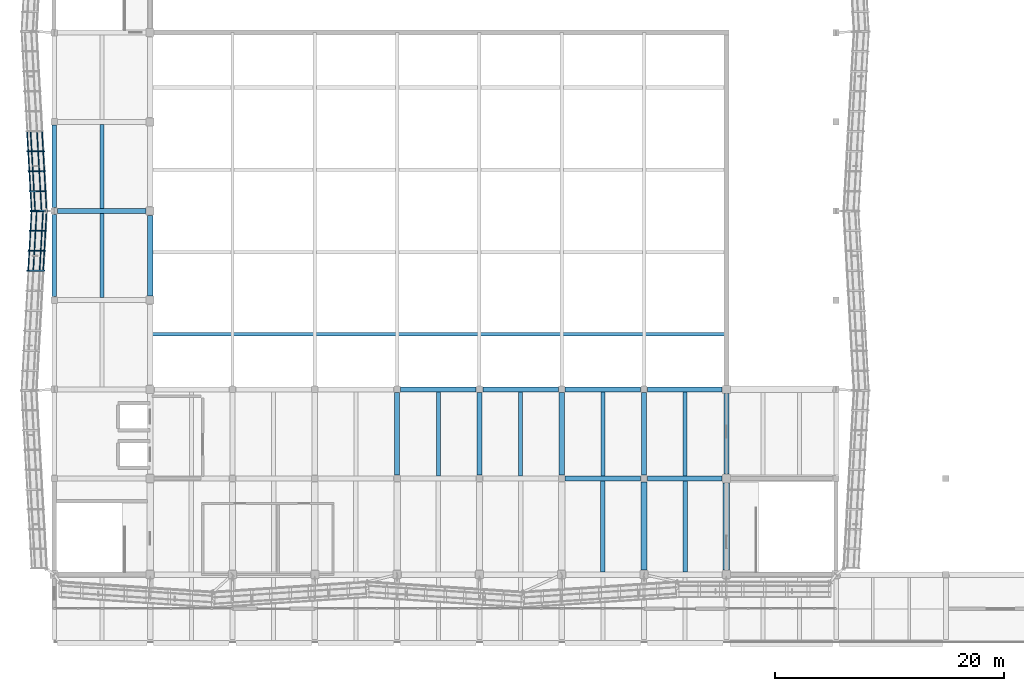
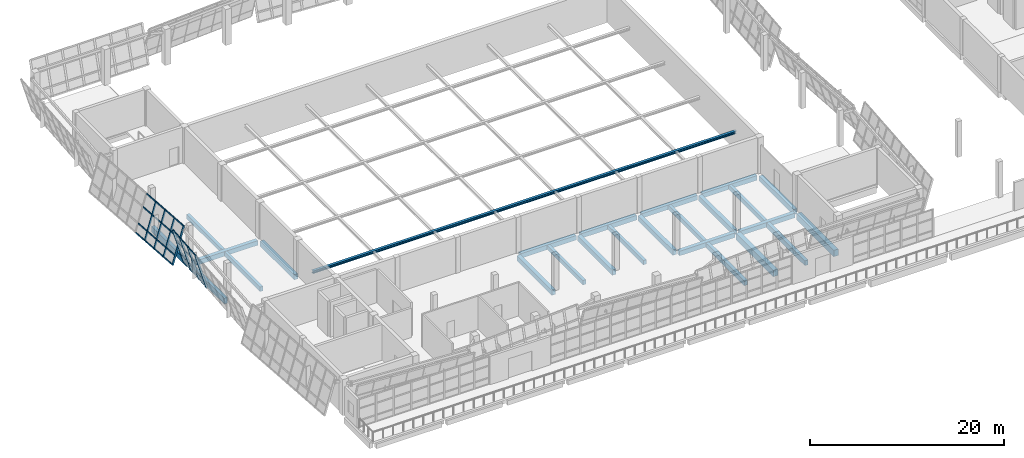
# One storey, part 14 of 67: 36 members, 26 beams, 2 elements without a shape of their own.
"""IFC4 building model written with IfcOpenShell, lengths in metres."""

from ifc_helpers import new_model, si_unit, direction, frame, origin, origin_2d, place, context, subcontext, project, spatial, rectangle, hollow_rectangle, i_section, extrude, material, material_profile, profile_set, type_object, element, aggregate, save


model = new_model("IFC4")

# Units and contexts
model_context = context("Model", 3, precision=1e-05, world=origin(), true_north=direction((0.0, 1.0)))
body_context = subcontext(model_context, "Body", "Model", "MODEL_VIEW")
ifc_project = project(units=[si_unit("LENGTHUNIT", "METRE"), si_unit("AREAUNIT", "SQUARE_METRE"), si_unit("VOLUMEUNIT", "CUBIC_METRE"), si_unit("PLANEANGLEUNIT", "RADIAN"), si_unit("MASSUNIT", "GRAM", prefix="KILO")], contexts=[model_context])

# Site, building, storey
site_placement = place(None, origin())
site = spatial("IfcSite", under=ifc_project, at=site_placement, CompositionType="ELEMENT")
building_placement = place(site_placement, origin())
building = spatial("IfcBuilding", under=site, at=building_placement, Name="Pellamere Symphony Hall", CompositionType="ELEMENT")
storey_placement = place(building_placement, frame((0.0, 0.0, 19.5)))
storey = spatial("IfcBuildingStorey", under=building, at=storey_placement, Name="L04", CompositionType="ELEMENT", Elevation=19.5)

# Curtain wall, members
ifc_material_1 = material(Name="Thermally Broken Anodised Aluminium 6063-T6 Curtain Wall", Category="aluminium")
curtain_wall_type = type_object("IfcCurtainWallType", Name="Curtain Wall CW-01 (Tilted Faceted Crystal Low-Iron Curtain Wall)", PredefinedType="NOTDEFINED", material=ifc_material_1)
curtain_wall_1_placement = place(storey_placement, origin())
curtain_wall_1 = element("IfcCurtainWall", 1, at=curtain_wall_1_placement, inside=storey, type_object=curtain_wall_type, Name="Crystal Faceted Curtain Wall CW-CR16 (L04)", PredefinedType="NOTDEFINED")
ifc_material_2 = material(Name="Anodised Architectural Aluminium 6063-T6", Category="aluminium")
ifc_material_profile_1 = material_profile(ifc_material_2, hollow_rectangle(XDim=0.074951171875, YDim=0.219970703125, WallThickness=0.0048828125, at=origin_2d()), Name="ALU-M75X220X5")
ifc_profile_set_1 = profile_set([ifc_material_profile_1], Name="Anodised Architectural Aluminium 6063-T6")
member_type_1 = type_object("IfcMemberType", Name="Curtain Wall Mullion ML-01 ALU-M75X220X5", PredefinedType="MULLION", material=ifc_profile_set_1)
member_1_placement = place(storey_placement, frame((48.116943359375, 67.033447265625, 0.0), z_axis=(0.284024567884, 0.0, 0.95881700279), x_axis=(-0.054873944304, 0.99836096977, 0.016254976991)))
member_1 = element("IfcMember", 2, at=member_1_placement, type_object=member_type_1, Name="CW1-046 crystal mullion 7", PredefinedType="MULLION", context=body_context, shape_type="SweptSolid", body=[
    extrude(hollow_rectangle(XDim=0.074951171875, YDim=0.219970703125, WallThickness=0.0048828125, at=origin_2d()), origin(), (0.0, 0.0, 1.0), 4.693359375),
])
member_2_placement = place(storey_placement, frame((48.217041015625, 65.288818359375, 0.0), z_axis=(0.284024567884, 0.0, 0.95881700279), x_axis=(-0.054873944304, 0.99836096977, 0.016254976991)))
member_2 = element("IfcMember", 3, at=member_2_placement, type_object=member_type_1, Name="CW1-046 crystal mullion 8", PredefinedType="MULLION", context=body_context, shape_type="SweptSolid", body=[
    extrude(hollow_rectangle(XDim=0.074951171875, YDim=0.219970703125, WallThickness=0.0048828125, at=origin_2d()), origin(), (0.0, 0.0, 1.0), 4.693359375),
])
member_3_placement = place(storey_placement, frame((48.31689453125, 63.54443359375, 0.0), z_axis=(0.284024567884, 0.0, 0.95881700279), x_axis=(-0.054873944304, 0.99836096977, 0.016254976991)))
member_3 = element("IfcMember", 4, at=member_3_placement, type_object=member_type_1, Name="CW1-046 crystal mullion 9", PredefinedType="MULLION", context=body_context, shape_type="SweptSolid", body=[
    extrude(hollow_rectangle(XDim=0.074951171875, YDim=0.219970703125, WallThickness=0.0048828125, at=origin_2d()), origin(), (0.0, 0.0, 1.0), 4.693359375),
])
member_4_placement = place(storey_placement, frame((48.414794921875, 61.83740234375, 0.0), z_axis=(0.284024567884, 0.0, 0.95881700279), x_axis=(-0.054873944304, 0.99836096977, 0.016254976991)))
member_4 = element("IfcMember", 5, at=member_4_placement, type_object=member_type_1, Name="CW1-046 crystal mullion 10", PredefinedType="MULLION", context=body_context, shape_type="SweptSolid", body=[
    extrude(hollow_rectangle(XDim=0.074951171875, YDim=0.219970703125, WallThickness=0.0048828125, at=origin_2d()), origin(), (0.0, 0.0, 1.0), 4.693359375),
])

curtain_wall_2_placement = place(storey_placement, origin())
curtain_wall_2 = element("IfcCurtainWall", 6, at=curtain_wall_2_placement, inside=storey, type_object=curtain_wall_type, Name="Crystal Faceted Curtain Wall CW-CR17 (L04)", PredefinedType="NOTDEFINED")
member_5_placement = place(storey_placement, frame((49.747802734375, 61.762451171875, 0.0), z_axis=(-0.284024567884, 0.0, 0.95881700279), x_axis=(-0.054873944304, -0.99836096977, -0.016254976991)))
member_5 = element("IfcMember", 7, at=member_5_placement, type_object=member_type_1, Name="CW1-051 crystal mullion 1", PredefinedType="MULLION", context=body_context, shape_type="SweptSolid", body=[
    extrude(hollow_rectangle(XDim=0.074951171875, YDim=0.219970703125, WallThickness=0.0048828125, at=origin_2d()), origin(), (0.0, 0.0, 1.0), 4.693359375),
])
member_6_placement = place(storey_placement, frame((49.64990234375, 60.0556640625, 0.0), z_axis=(-0.284024567884, 0.0, 0.95881700279), x_axis=(-0.054873944304, -0.99836096977, -0.016254976991)))
member_6 = element("IfcMember", 8, at=member_6_placement, type_object=member_type_1, Name="CW1-051 crystal mullion 2", PredefinedType="MULLION", context=body_context, shape_type="SweptSolid", body=[
    extrude(hollow_rectangle(XDim=0.074951171875, YDim=0.219970703125, WallThickness=0.0048828125, at=origin_2d()), origin(), (0.0, 0.0, 1.0), 4.693359375),
])
member_7_placement = place(storey_placement, frame((49.550048828125, 58.31103515625, 0.0), z_axis=(-0.284024567884, 0.0, 0.95881700279), x_axis=(-0.054873944304, -0.99836096977, -0.016254976991)))
member_7 = element("IfcMember", 9, at=member_7_placement, type_object=member_type_1, Name="CW1-051 crystal mullion 3", PredefinedType="MULLION", context=body_context, shape_type="SweptSolid", body=[
    extrude(hollow_rectangle(XDim=0.074951171875, YDim=0.219970703125, WallThickness=0.0048828125, at=origin_2d()), origin(), (0.0, 0.0, 1.0), 4.693359375),
])
member_8_placement = place(storey_placement, frame((49.449951171875, 56.566650390625, 0.0), z_axis=(-0.284024567884, 0.0, 0.95881700279), x_axis=(-0.054873944304, -0.99836096977, -0.016254976991)))
member_8 = element("IfcMember", 10, at=member_8_placement, type_object=member_type_1, Name="CW1-051 crystal mullion 4", PredefinedType="MULLION", context=body_context, shape_type="SweptSolid", body=[
    extrude(hollow_rectangle(XDim=0.074951171875, YDim=0.219970703125, WallThickness=0.0048828125, at=origin_2d()), origin(), (0.0, 0.0, 1.0), 4.693359375),
])

# Member
ifc_material_profile_2 = material_profile(ifc_material_2, hollow_rectangle(XDim=0.074951171875, YDim=0.179931640625, WallThickness=0.0048828125, at=origin_2d()), Name="ALU-T75X180X5")
ifc_profile_set_2 = profile_set([ifc_material_profile_2], Name="Anodised Architectural Aluminium 6063-T6")
member_type_2 = type_object("IfcMemberType", Name="Curtain Wall Transom TR-01 ALU-T75X180X5", PredefinedType="USERDEFINED", material=ifc_profile_set_2)
member_9_placement = place(storey_placement, frame((48.02978515625, 68.740234375, 0.035888671875), z_axis=(0.057232737422, -0.998360863499, 0.0), x_axis=(0.998360863499, 0.057232737422, 0.0)))
member_9 = element("IfcMember", 11, at=member_9_placement, type_object=member_type_2, Name="CW1-046 crystal transom 6.1", ObjectType="TRANSOM", PredefinedType="USERDEFINED", context=body_context, shape_type="SweptSolid", body=[
    extrude(hollow_rectangle(XDim=0.074951171875, YDim=0.179931640625, WallThickness=0.0048828125, at=origin_2d()), origin(), (0.0, 0.0, 1.0), 1.672119140625),
])

member_10_placement = place(storey_placement, frame((48.339111328125, 68.740234375, 1.080078125), z_axis=(0.057232737422, -0.998360863499, 0.0), x_axis=(0.998360863499, 0.057232737422, 0.0)))
member_10 = element("IfcMember", 12, at=member_10_placement, type_object=member_type_2, Name="CW1-046 crystal transom 6.2", ObjectType="TRANSOM", PredefinedType="USERDEFINED", context=body_context, shape_type="SweptSolid", body=[
    extrude(hollow_rectangle(XDim=0.074951171875, YDim=0.179931640625, WallThickness=0.0048828125, at=origin_2d()), origin(), (0.0, 0.0, 1.0), 1.672119140625),
])

member_11_placement = place(storey_placement, frame((48.89892578125, 68.740234375, 2.969970703125), z_axis=(0.057232737422, -0.998360863499, 0.0), x_axis=(0.998360863499, 0.057232737422, 0.0)))
member_11 = element("IfcMember", 13, at=member_11_placement, type_object=member_type_2, Name="CW1-046 crystal transom 6.3", ObjectType="TRANSOM", PredefinedType="USERDEFINED", context=body_context, shape_type="SweptSolid", body=[
    extrude(hollow_rectangle(XDim=0.074951171875, YDim=0.179931640625, WallThickness=0.0048828125, at=origin_2d()), origin(), (0.0, 0.0, 1.0), 1.672119140625),
])

member_12_placement = place(storey_placement, frame((49.341552734375, 68.740234375, 4.464111328125), z_axis=(0.057232737422, -0.998360863499, 0.0), x_axis=(0.998360863499, 0.057232737422, 0.0)))
member_12 = element("IfcMember", 14, at=member_12_placement, type_object=member_type_2, Name="CW1-046 crystal transom 6.4", ObjectType="TRANSOM", PredefinedType="USERDEFINED", context=body_context, shape_type="SweptSolid", body=[
    extrude(hollow_rectangle(XDim=0.074951171875, YDim=0.179931640625, WallThickness=0.0048828125, at=origin_2d()), origin(), (0.0, 0.0, 1.0), 1.672119140625),
])

member_13_placement = place(storey_placement, frame((48.1298828125, 66.995849609375, 0.035888671875), z_axis=(0.057232737422, -0.998360863499, 0.0), x_axis=(0.998360863499, 0.057232737422, 0.0)))
member_13 = element("IfcMember", 15, at=member_13_placement, type_object=member_type_2, Name="CW1-046 crystal transom 7.1", ObjectType="TRANSOM", PredefinedType="USERDEFINED", context=body_context, shape_type="SweptSolid", body=[
    extrude(hollow_rectangle(XDim=0.074951171875, YDim=0.179931640625, WallThickness=0.0048828125, at=origin_2d()), origin(), (0.0, 0.0, 1.0), 1.672119140625),
])

member_14_placement = place(storey_placement, frame((48.43896484375, 66.995849609375, 1.080078125), z_axis=(0.057232737422, -0.998360863499, 0.0), x_axis=(0.998360863499, 0.057232737422, 0.0)))
member_14 = element("IfcMember", 16, at=member_14_placement, type_object=member_type_2, Name="CW1-046 crystal transom 7.2", ObjectType="TRANSOM", PredefinedType="USERDEFINED", context=body_context, shape_type="SweptSolid", body=[
    extrude(hollow_rectangle(XDim=0.074951171875, YDim=0.179931640625, WallThickness=0.0048828125, at=origin_2d()), origin(), (0.0, 0.0, 1.0), 1.672119140625),
])

member_15_placement = place(storey_placement, frame((48.9990234375, 66.995849609375, 2.969970703125), z_axis=(0.057232737422, -0.998360863499, 0.0), x_axis=(0.998360863499, 0.057232737422, 0.0)))
member_15 = element("IfcMember", 17, at=member_15_placement, type_object=member_type_2, Name="CW1-046 crystal transom 7.3", ObjectType="TRANSOM", PredefinedType="USERDEFINED", context=body_context, shape_type="SweptSolid", body=[
    extrude(hollow_rectangle(XDim=0.074951171875, YDim=0.179931640625, WallThickness=0.0048828125, at=origin_2d()), origin(), (0.0, 0.0, 1.0), 1.672119140625),
])

member_16_placement = place(storey_placement, frame((49.44140625, 66.995849609375, 4.464111328125), z_axis=(0.057232737422, -0.998360863499, 0.0), x_axis=(0.998360863499, 0.057232737422, 0.0)))
member_16 = element("IfcMember", 18, at=member_16_placement, type_object=member_type_2, Name="CW1-046 crystal transom 7.4", ObjectType="TRANSOM", PredefinedType="USERDEFINED", context=body_context, shape_type="SweptSolid", body=[
    extrude(hollow_rectangle(XDim=0.074951171875, YDim=0.179931640625, WallThickness=0.0048828125, at=origin_2d()), origin(), (0.0, 0.0, 1.0), 1.672119140625),
])

member_17_placement = place(storey_placement, frame((48.229736328125, 65.25146484375, 0.035888671875), z_axis=(0.057224396245, -0.998361341637, 0.0), x_axis=(0.998361341637, 0.057224396245, 0.0)))
member_17 = element("IfcMember", 19, at=member_17_placement, type_object=member_type_2, Name="CW1-046 crystal transom 8.1", ObjectType="TRANSOM", PredefinedType="USERDEFINED", context=body_context, shape_type="SweptSolid", body=[
    extrude(hollow_rectangle(XDim=0.074951171875, YDim=0.179931640625, WallThickness=0.0048828125, at=origin_2d()), origin(), (0.0, 0.0, 1.0), 1.67236328125),
])

member_18_placement = place(storey_placement, frame((48.5390625, 65.25146484375, 1.080078125), z_axis=(0.057224396245, -0.998361341637, 0.0), x_axis=(0.998361341637, 0.057224396245, 0.0)))
member_18 = element("IfcMember", 20, at=member_18_placement, type_object=member_type_2, Name="CW1-046 crystal transom 8.2", ObjectType="TRANSOM", PredefinedType="USERDEFINED", context=body_context, shape_type="SweptSolid", body=[
    extrude(hollow_rectangle(XDim=0.074951171875, YDim=0.179931640625, WallThickness=0.0048828125, at=origin_2d()), origin(), (0.0, 0.0, 1.0), 1.67236328125),
])

member_19_placement = place(storey_placement, frame((49.098876953125, 65.25146484375, 2.969970703125), z_axis=(0.057224396245, -0.998361341637, 0.0), x_axis=(0.998361341637, 0.057224396245, 0.0)))
member_19 = element("IfcMember", 21, at=member_19_placement, type_object=member_type_2, Name="CW1-046 crystal transom 8.3", ObjectType="TRANSOM", PredefinedType="USERDEFINED", context=body_context, shape_type="SweptSolid", body=[
    extrude(hollow_rectangle(XDim=0.074951171875, YDim=0.179931640625, WallThickness=0.0048828125, at=origin_2d()), origin(), (0.0, 0.0, 1.0), 1.67236328125),
])

member_20_placement = place(storey_placement, frame((49.54150390625, 65.25146484375, 4.464111328125), z_axis=(0.057224396245, -0.998361341637, 0.0), x_axis=(0.998361341637, 0.057224396245, 0.0)))
member_20 = element("IfcMember", 22, at=member_20_placement, type_object=member_type_2, Name="CW1-046 crystal transom 8.4", ObjectType="TRANSOM", PredefinedType="USERDEFINED", context=body_context, shape_type="SweptSolid", body=[
    extrude(hollow_rectangle(XDim=0.074951171875, YDim=0.179931640625, WallThickness=0.0048828125, at=origin_2d()), origin(), (0.0, 0.0, 1.0), 1.67236328125),
])

member_21_placement = place(storey_placement, frame((48.329833984375, 63.507080078125, 0.035888671875), z_axis=(0.057190120561, -0.998363305671, 0.0), x_axis=(0.998363305671, 0.057190120561, 0.0)))
member_21 = element("IfcMember", 23, at=member_21_placement, type_object=member_type_2, Name="CW1-046 crystal transom 9.1", ObjectType="TRANSOM", PredefinedType="USERDEFINED", context=body_context, shape_type="SweptSolid", body=[
    extrude(hollow_rectangle(XDim=0.074951171875, YDim=0.179931640625, WallThickness=0.0048828125, at=origin_2d()), origin(), (0.0, 0.0, 1.0), 1.635009765625),
])

member_22_placement = place(storey_placement, frame((48.63916015625, 63.507080078125, 1.080078125), z_axis=(0.057190120561, -0.998363305671, 0.0), x_axis=(0.998363305671, 0.057190120561, 0.0)))
member_22 = element("IfcMember", 24, at=member_22_placement, type_object=member_type_2, Name="CW1-046 crystal transom 9.2", ObjectType="TRANSOM", PredefinedType="USERDEFINED", context=body_context, shape_type="SweptSolid", body=[
    extrude(hollow_rectangle(XDim=0.074951171875, YDim=0.179931640625, WallThickness=0.0048828125, at=origin_2d()), origin(), (0.0, 0.0, 1.0), 1.635009765625),
])

member_23_placement = place(storey_placement, frame((49.198974609375, 63.507080078125, 2.969970703125), z_axis=(0.057190120561, -0.998363305671, 0.0), x_axis=(0.998363305671, 0.057190120561, 0.0)))
member_23 = element("IfcMember", 25, at=member_23_placement, type_object=member_type_2, Name="CW1-046 crystal transom 9.3", ObjectType="TRANSOM", PredefinedType="USERDEFINED", context=body_context, shape_type="SweptSolid", body=[
    extrude(hollow_rectangle(XDim=0.074951171875, YDim=0.179931640625, WallThickness=0.0048828125, at=origin_2d()), origin(), (0.0, 0.0, 1.0), 1.635009765625),
])

member_24_placement = place(storey_placement, frame((49.6416015625, 63.507080078125, 4.464111328125), z_axis=(0.057190120561, -0.998363305671, 0.0), x_axis=(0.998363305671, 0.057190120561, 0.0)))
member_24 = element("IfcMember", 26, at=member_24_placement, type_object=member_type_2, Name="CW1-046 crystal transom 9.4", ObjectType="TRANSOM", PredefinedType="USERDEFINED", context=body_context, shape_type="SweptSolid", body=[
    extrude(hollow_rectangle(XDim=0.074951171875, YDim=0.179931640625, WallThickness=0.0048828125, at=origin_2d()), origin(), (0.0, 0.0, 1.0), 1.635009765625),
])

aggregate(curtain_wall_1, [member_1, member_2, member_3, member_4, member_9, member_10, member_11, member_12, member_13, member_14, member_15, member_16, member_17, member_18, member_19, member_20, member_21, member_22, member_23, member_24])

member_25_placement = place(storey_placement, frame((49.735107421875, 61.72509765625, 0.035888671875), z_axis=(-0.057198647566, -0.998362817175, 0.0), x_axis=(0.998362817175, -0.057198647566, 0.0)))
member_25 = element("IfcMember", 27, at=member_25_placement, type_object=member_type_2, Name="CW1-051 crystal transom 1.1", ObjectType="TRANSOM", PredefinedType="USERDEFINED", context=body_context, shape_type="SweptSolid", body=[
    extrude(hollow_rectangle(XDim=0.074951171875, YDim=0.179931640625, WallThickness=0.0048828125, at=origin_2d()), origin(), (0.0, 0.0, 1.0), 1.634765625),
])

member_26_placement = place(storey_placement, frame((49.42578125, 61.72509765625, 1.080078125), z_axis=(-0.057198647566, -0.998362817175, 0.0), x_axis=(0.998362817175, -0.057198647566, 0.0)))
member_26 = element("IfcMember", 28, at=member_26_placement, type_object=member_type_2, Name="CW1-051 crystal transom 1.2", ObjectType="TRANSOM", PredefinedType="USERDEFINED", context=body_context, shape_type="SweptSolid", body=[
    extrude(hollow_rectangle(XDim=0.074951171875, YDim=0.179931640625, WallThickness=0.0048828125, at=origin_2d()), origin(), (0.0, 0.0, 1.0), 1.634765625),
])

member_27_placement = place(storey_placement, frame((48.865966796875, 61.72509765625, 2.969970703125), z_axis=(-0.057198647566, -0.998362817175, 0.0), x_axis=(0.998362817175, -0.057198647566, 0.0)))
member_27 = element("IfcMember", 29, at=member_27_placement, type_object=member_type_2, Name="CW1-051 crystal transom 1.3", ObjectType="TRANSOM", PredefinedType="USERDEFINED", context=body_context, shape_type="SweptSolid", body=[
    extrude(hollow_rectangle(XDim=0.074951171875, YDim=0.179931640625, WallThickness=0.0048828125, at=origin_2d()), origin(), (0.0, 0.0, 1.0), 1.634765625),
])

member_28_placement = place(storey_placement, frame((48.42333984375, 61.72509765625, 4.464111328125), z_axis=(-0.057198647566, -0.998362817175, 0.0), x_axis=(0.998362817175, -0.057198647566, 0.0)))
member_28 = element("IfcMember", 30, at=member_28_placement, type_object=member_type_2, Name="CW1-051 crystal transom 1.4", ObjectType="TRANSOM", PredefinedType="USERDEFINED", context=body_context, shape_type="SweptSolid", body=[
    extrude(hollow_rectangle(XDim=0.074951171875, YDim=0.179931640625, WallThickness=0.0048828125, at=origin_2d()), origin(), (0.0, 0.0, 1.0), 1.634765625),
])

member_29_placement = place(storey_placement, frame((49.63720703125, 60.01806640625, 0.035888671875), z_axis=(-0.057232737422, -0.998360863499, 0.0), x_axis=(0.998360863499, -0.057232737422, 0.0)))
member_29 = element("IfcMember", 31, at=member_29_placement, type_object=member_type_2, Name="CW1-051 crystal transom 2.1", ObjectType="TRANSOM", PredefinedType="USERDEFINED", context=body_context, shape_type="SweptSolid", body=[
    extrude(hollow_rectangle(XDim=0.074951171875, YDim=0.179931640625, WallThickness=0.0048828125, at=origin_2d()), origin(), (0.0, 0.0, 1.0), 1.672119140625),
])

member_30_placement = place(storey_placement, frame((49.327880859375, 60.01806640625, 1.080078125), z_axis=(-0.057232737422, -0.998360863499, 0.0), x_axis=(0.998360863499, -0.057232737422, 0.0)))
member_30 = element("IfcMember", 32, at=member_30_placement, type_object=member_type_2, Name="CW1-051 crystal transom 2.2", ObjectType="TRANSOM", PredefinedType="USERDEFINED", context=body_context, shape_type="SweptSolid", body=[
    extrude(hollow_rectangle(XDim=0.074951171875, YDim=0.179931640625, WallThickness=0.0048828125, at=origin_2d()), origin(), (0.0, 0.0, 1.0), 1.672119140625),
])

member_31_placement = place(storey_placement, frame((48.76806640625, 60.01806640625, 2.969970703125), z_axis=(-0.057232737422, -0.998360863499, 0.0), x_axis=(0.998360863499, -0.057232737422, 0.0)))
member_31 = element("IfcMember", 33, at=member_31_placement, type_object=member_type_2, Name="CW1-051 crystal transom 2.3", ObjectType="TRANSOM", PredefinedType="USERDEFINED", context=body_context, shape_type="SweptSolid", body=[
    extrude(hollow_rectangle(XDim=0.074951171875, YDim=0.179931640625, WallThickness=0.0048828125, at=origin_2d()), origin(), (0.0, 0.0, 1.0), 1.672119140625),
])

member_32_placement = place(storey_placement, frame((48.325439453125, 60.01806640625, 4.464111328125), z_axis=(-0.057232737422, -0.998360863499, 0.0), x_axis=(0.998360863499, -0.057232737422, 0.0)))
member_32 = element("IfcMember", 34, at=member_32_placement, type_object=member_type_2, Name="CW1-051 crystal transom 2.4", ObjectType="TRANSOM", PredefinedType="USERDEFINED", context=body_context, shape_type="SweptSolid", body=[
    extrude(hollow_rectangle(XDim=0.074951171875, YDim=0.179931640625, WallThickness=0.0048828125, at=origin_2d()), origin(), (0.0, 0.0, 1.0), 1.672119140625),
])

member_33_placement = place(storey_placement, frame((49.537109375, 58.273681640625, 0.035888671875), z_axis=(-0.057224396245, -0.998361341637, 0.0), x_axis=(0.998361341637, -0.057224396245, 0.0)))
member_33 = element("IfcMember", 35, at=member_33_placement, type_object=member_type_2, Name="CW1-051 crystal transom 3.1", ObjectType="TRANSOM", PredefinedType="USERDEFINED", context=body_context, shape_type="SweptSolid", body=[
    extrude(hollow_rectangle(XDim=0.074951171875, YDim=0.179931640625, WallThickness=0.0048828125, at=origin_2d()), origin(), (0.0, 0.0, 1.0), 1.67236328125),
])

member_34_placement = place(storey_placement, frame((49.22802734375, 58.273681640625, 1.080078125), z_axis=(-0.057224396245, -0.998361341637, 0.0), x_axis=(0.998361341637, -0.057224396245, 0.0)))
member_34 = element("IfcMember", 36, at=member_34_placement, type_object=member_type_2, Name="CW1-051 crystal transom 3.2", ObjectType="TRANSOM", PredefinedType="USERDEFINED", context=body_context, shape_type="SweptSolid", body=[
    extrude(hollow_rectangle(XDim=0.074951171875, YDim=0.179931640625, WallThickness=0.0048828125, at=origin_2d()), origin(), (0.0, 0.0, 1.0), 1.67236328125),
])

member_35_placement = place(storey_placement, frame((48.66796875, 58.273681640625, 2.969970703125), z_axis=(-0.057224396245, -0.998361341637, 0.0), x_axis=(0.998361341637, -0.057224396245, 0.0)))
member_35 = element("IfcMember", 37, at=member_35_placement, type_object=member_type_2, Name="CW1-051 crystal transom 3.3", ObjectType="TRANSOM", PredefinedType="USERDEFINED", context=body_context, shape_type="SweptSolid", body=[
    extrude(hollow_rectangle(XDim=0.074951171875, YDim=0.179931640625, WallThickness=0.0048828125, at=origin_2d()), origin(), (0.0, 0.0, 1.0), 1.67236328125),
])

member_36_placement = place(storey_placement, frame((48.2255859375, 58.273681640625, 4.464111328125), z_axis=(-0.057224396245, -0.998361341637, 0.0), x_axis=(0.998361341637, -0.057224396245, 0.0)))
member_36 = element("IfcMember", 38, at=member_36_placement, type_object=member_type_2, Name="CW1-051 crystal transom 3.4", ObjectType="TRANSOM", PredefinedType="USERDEFINED", context=body_context, shape_type="SweptSolid", body=[
    extrude(hollow_rectangle(XDim=0.074951171875, YDim=0.179931640625, WallThickness=0.0048828125, at=origin_2d()), origin(), (0.0, 0.0, 1.0), 1.67236328125),
])

aggregate(curtain_wall_2, [member_5, member_6, member_7, member_8, member_25, member_26, member_27, member_28, member_29, member_30, member_31, member_32, member_33, member_34, member_35, member_36])

# Beams
ifc_material_3 = material(Name="Concrete 40 MPa", Category="concrete")
ifc_material_profile_3 = material_profile(ifc_material_3, rectangle(XDim=0.550048828125, YDim=0.800048828125, at=origin_2d()), Name="RC 550x800")
ifc_profile_set_3 = profile_set([ifc_material_profile_3], Name="Concrete 40 MPa")
beam_type_1 = type_object("IfcBeamType", Name="RC CB-05 550x800", PredefinedType="BEAM", material=ifc_profile_set_3)
beam_1_placement = place(storey_placement, frame((102.0, 30.375, -0.659912109375), z_axis=(0.0, 1.0, 0.0), x_axis=(-1.0, 0.0, 0.0)))
element("IfcBeam", 39, at=beam_1_placement, inside=storey, type_object=beam_type_1, Name="Girder CB-05-Y1902 (L04)", PredefinedType="BEAM", context=body_context, shape_type="SweptSolid", body=[
    extrude(rectangle(XDim=0.550048828125, YDim=0.800048828125, at=origin_2d()), origin(), (0.0, 0.0, 1.0), 7.72509765625),
])
beam_2_placement = place(storey_placement, frame((109.199951171875, 30.375, -0.659912109375), z_axis=(0.0, 1.0, 0.0), x_axis=(-1.0, 0.0, 0.0)))
element("IfcBeam", 40, at=beam_2_placement, inside=storey, type_object=beam_type_1, Name="Girder CB-05-Y1905 (L04)", PredefinedType="BEAM", context=body_context, shape_type="SweptSolid", body=[
    extrude(rectangle(XDim=0.550048828125, YDim=0.800048828125, at=origin_2d()), origin(), (0.0, 0.0, 1.0), 7.64990234375),
])
ifc_material_profile_4 = material_profile(ifc_material_3, rectangle(XDim=0.449951171875, YDim=0.64990234375, at=origin_2d()), Name="RC 450x650")
ifc_profile_set_4 = profile_set([ifc_material_profile_4], Name="Concrete 40 MPa")
beam_type_2 = type_object("IfcBeamType", Name="RC CB-08 450x650", PredefinedType="BEAM", material=ifc_profile_set_4)
beam_3_placement = place(storey_placement, frame((58.800048828125, 54.375, -0.5849609375), z_axis=(0.0, 1.0, 0.0), x_axis=(-1.0, 0.0, 0.0)))
element("IfcBeam", 41, at=beam_3_placement, inside=storey, type_object=beam_type_2, Name="Girder CB-08-Y1881 (L04)", PredefinedType="BEAM", context=body_context, shape_type="SweptSolid", body=[
    extrude(rectangle(XDim=0.449951171875, YDim=0.64990234375, at=origin_2d()), origin(), (0.0, 0.0, 1.0), 7.050048828125),
])
for number, where, z_axis, x_axis, name in (
    (42, (80.39990234375, 38.699951171875, -0.5849609375), (0.0, 1.0, 0.0), (-1.0, 0.0, 0.0), "Girder CB-08-Y1894 (L04)"),
    (43, (87.60009765625, 38.699951171875, -0.5849609375), (0.0, 1.0, 0.0), (-1.0, 0.0, 0.0), "Girder CB-08-Y1897 (L04)"),
    (44, (94.800048828125, 38.699951171875, -0.5849609375), (0.0, 1.0, 0.0), (-1.0, 0.0, 0.0), "Girder CB-08-Y1900 (L04)"),
    (45, (102.0, 38.699951171875, -0.5849609375), (0.0, 1.0, 0.0), (-1.0, 0.0, 0.0), "Girder CB-08-Y1903 (L04)"),
):
    element("IfcBeam", number, at=place(storey_placement, frame(where, z_axis=z_axis, x_axis=x_axis)), inside=storey, type_object=beam_type_2, Name=name, PredefinedType="BEAM", context=body_context, shape_type="SweptSolid", body=[
        extrude(rectangle(XDim=0.449951171875, YDim=0.64990234375, at=origin_2d()), origin(), (0.0, 0.0, 1.0), 7.199951171875),
    ])
beam_4_placement = place(storey_placement, frame((109.199951171875, 38.77490234375, -0.5849609375), z_axis=(0.0, 1.0, 0.0), x_axis=(-1.0, 0.0, 0.0)))
element("IfcBeam", 46, at=beam_4_placement, inside=storey, type_object=beam_type_2, Name="Girder CB-08-Y1906 (L04)", PredefinedType="BEAM", context=body_context, shape_type="SweptSolid", body=[
    extrude(rectangle(XDim=0.449951171875, YDim=0.64990234375, at=origin_2d()), origin(), (0.0, 0.0, 1.0), 7.050048828125),
])
ifc_material_profile_5 = material_profile(ifc_material_3, rectangle(XDim=0.39990234375, YDim=0.60009765625, at=origin_2d()), Name="RC 400x600")
ifc_profile_set_5 = profile_set([ifc_material_profile_5], Name="Concrete 40 MPa")
beam_type_3 = type_object("IfcBeamType", Name="RC CB-09 400x600", PredefinedType="BEAM", material=ifc_profile_set_5)
for number, where, z_axis, x_axis, name in (
    (47, (98.39990234375, 30.239990234375, -0.574951171875), (0.0, 1.0, 0.0), (-1.0, 0.0, 0.0), "Secondary Floor Beam CB-09-M1204 (L04)"),
    (48, (105.60009765625, 30.239990234375, -0.574951171875), (0.0, 1.0, 0.0), (-1.0, 0.0, 0.0), "Secondary Floor Beam CB-09-M1304 (L04)"),
):
    element("IfcBeam", number, at=place(storey_placement, frame(where, z_axis=z_axis, x_axis=x_axis)), inside=storey, type_object=beam_type_3, Name=name, PredefinedType="BEAM", context=body_context, shape_type="SweptSolid", body=[
        extrude(rectangle(XDim=0.39990234375, YDim=0.60009765625, at=origin_2d()), origin(), (0.0, 0.0, 1.0), 7.93994140625),
    ])
ifc_material_4 = material(Name="Concrete 35 MPa", Category="concrete")
ifc_material_profile_6 = material_profile(ifc_material_4, rectangle(XDim=0.35009765625, YDim=0.550048828125, at=origin_2d()), Name="RC 350x550")
ifc_profile_set_6 = profile_set([ifc_material_profile_6], Name="Concrete 35 MPa")
beam_type_4 = type_object("IfcBeamType", Name="RC CB-10 350x550", PredefinedType="BEAM", material=ifc_profile_set_6)
beam_5_placement = place(storey_placement, frame((54.60009765625, 54.219970703125, -0.550048828125), z_axis=(0.0, 1.0, 0.0), x_axis=(-1.0, 0.0, 0.0)))
element("IfcBeam", 49, at=beam_5_placement, inside=storey, type_object=beam_type_4, Name="Secondary Floor Beam CB-10-M0607 (L04)", PredefinedType="BEAM", context=body_context, shape_type="SweptSolid", body=[
    extrude(rectangle(XDim=0.35009765625, YDim=0.550048828125, at=origin_2d()), origin(), (0.0, 0.0, 1.0), 7.360107421875),
])
for number, where, z_axis, x_axis, name in (
    (50, (54.60009765625, 62.02001953125, -0.550048828125), (0.0, 1.0, 0.0), (-1.0, 0.0, 0.0), "Secondary Floor Beam CB-10-M0608 (L04)"),
    (51, (84.0, 38.6201171875, -0.550048828125), (0.0, 1.0, 0.0), (-1.0, 0.0, 0.0), "Secondary Floor Beam CB-10-M1005 (L04)"),
    (52, (91.199951171875, 38.6201171875, -0.550048828125), (0.0, 1.0, 0.0), (-1.0, 0.0, 0.0), "Secondary Floor Beam CB-10-M1105 (L04)"),
    (53, (98.39990234375, 38.6201171875, -0.550048828125), (0.0, 1.0, 0.0), (-1.0, 0.0, 0.0), "Secondary Floor Beam CB-10-M1205 (L04)"),
    (54, (105.60009765625, 38.6201171875, -0.550048828125), (0.0, 1.0, 0.0), (-1.0, 0.0, 0.0), "Secondary Floor Beam CB-10-M1305 (L04)"),
):
    element("IfcBeam", number, at=place(storey_placement, frame(where, z_axis=z_axis, x_axis=x_axis)), inside=storey, type_object=beam_type_4, Name=name, PredefinedType="BEAM", context=body_context, shape_type="SweptSolid", body=[
        extrude(rectangle(XDim=0.35009765625, YDim=0.550048828125, at=origin_2d()), origin(), (0.0, 0.0, 1.0), 7.35986328125),
    ])
ifc_material_profile_7 = material_profile(ifc_material_3, rectangle(XDim=0.39990234375, YDim=0.699951171875, at=origin_2d()), Name="RC 400x700")
ifc_profile_set_7 = profile_set([ifc_material_profile_7], Name="Concrete 40 MPa")
beam_type_5 = type_object("IfcBeamType", Name="RC CB-13 400x700", PredefinedType="SPANDREL", material=ifc_profile_set_7)
for number, where, z_axis, x_axis, name in (
    (55, (50.39990234375, 54.300048828125, -0.610107421875), (0.0, 1.0, 0.0), (-1.0, 0.0, 0.0), "Girder CB-13-Y1873 (L04)"),
    (56, (50.39990234375, 62.10009765625, -0.610107421875), (0.0, 1.0, 0.0), (-1.0, 0.0, 0.0), "Girder CB-13-Y1874 (L04)"),
):
    element("IfcBeam", number, at=place(storey_placement, frame(where, z_axis=z_axis, x_axis=x_axis)), inside=storey, type_object=beam_type_5, Name=name, PredefinedType="SPANDREL", context=body_context, shape_type="SweptSolid", body=[
        extrude(rectangle(XDim=0.39990234375, YDim=0.699951171875, at=origin_2d()), origin(), (0.0, 0.0, 1.0), 7.199951171875),
    ])
ifc_material_profile_8 = material_profile(ifc_material_3, rectangle(XDim=0.43994140625, YDim=0.580078125, at=origin_2d()), Name="RC 440x580")
ifc_profile_set_8 = profile_set([ifc_material_profile_8], Name="Concrete 40 MPa")
beam_type_6 = type_object("IfcBeamType", Name="RC CB-20 440x580", PredefinedType="BEAM", material=ifc_profile_set_8)
beam_6_placement = place(storey_placement, frame((95.10009765625, 38.39990234375, -0.550048828125), z_axis=(1.0, 0.0, 0.0), x_axis=(0.0, 1.0, 0.0)))
element("IfcBeam", 57, at=beam_6_placement, inside=storey, type_object=beam_type_6, Name="Girder CB-20-X1824 (L04)", PredefinedType="BEAM", context=body_context, shape_type="SweptSolid", body=[
    extrude(rectangle(XDim=0.43994140625, YDim=0.580078125, at=origin_2d()), origin(), (0.0, 0.0, 1.0), 6.599853515625),
])
beam_7_placement = place(storey_placement, frame((102.300048828125, 38.39990234375, -0.550048828125), z_axis=(1.0, 0.0, 0.0), x_axis=(0.0, 1.0, 0.0)))
element("IfcBeam", 58, at=beam_7_placement, inside=storey, type_object=beam_type_6, Name="Girder CB-20-X1825 (L04)", PredefinedType="BEAM", context=body_context, shape_type="SweptSolid", body=[
    extrude(rectangle(XDim=0.43994140625, YDim=0.580078125, at=origin_2d()), origin(), (0.0, 0.0, 1.0), 6.52490234375),
])
for number, where, z_axis, x_axis, name in (
    (59, (80.699951171875, 46.199951171875, -0.550048828125), (1.0, 0.0, 0.0), (0.0, 1.0, 0.0), "Girder CB-20-X1835 (L04)"),
    (60, (87.89990234375, 46.199951171875, -0.550048828125), (1.0, 0.0, 0.0), (0.0, 1.0, 0.0), "Girder CB-20-X1836 (L04)"),
):
    element("IfcBeam", number, at=place(storey_placement, frame(where, z_axis=z_axis, x_axis=x_axis)), inside=storey, type_object=beam_type_6, Name=name, PredefinedType="BEAM", context=body_context, shape_type="SweptSolid", body=[
        extrude(rectangle(XDim=0.43994140625, YDim=0.580078125, at=origin_2d()), origin(), (0.0, 0.0, 1.0), 6.60009765625),
    ])
beam_8_placement = place(storey_placement, frame((95.10009765625, 46.199951171875, -0.550048828125), z_axis=(1.0, 0.0, 0.0), x_axis=(0.0, 1.0, 0.0)))
element("IfcBeam", 61, at=beam_8_placement, inside=storey, type_object=beam_type_6, Name="Girder CB-20-X1837 (L04)", PredefinedType="BEAM", context=body_context, shape_type="SweptSolid", body=[
    extrude(rectangle(XDim=0.43994140625, YDim=0.580078125, at=origin_2d()), origin(), (0.0, 0.0, 1.0), 6.599853515625),
])
beam_9_placement = place(storey_placement, frame((102.300048828125, 46.199951171875, -0.550048828125), z_axis=(1.0, 0.0, 0.0), x_axis=(0.0, 1.0, 0.0)))
element("IfcBeam", 62, at=beam_9_placement, inside=storey, type_object=beam_type_6, Name="Girder CB-20-X1838 (L04)", PredefinedType="BEAM", context=body_context, shape_type="SweptSolid", body=[
    extrude(rectangle(XDim=0.43994140625, YDim=0.580078125, at=origin_2d()), origin(), (0.0, 0.0, 1.0), 6.52490234375),
])
beam_10_placement = place(storey_placement, frame((50.699951171875, 61.800048828125, -0.550048828125), z_axis=(1.0, 0.0, 0.0), x_axis=(0.0, 1.0, 0.0)))
element("IfcBeam", 63, at=beam_10_placement, inside=storey, type_object=beam_type_6, Name="Girder CB-20-X1849 (L04)", PredefinedType="BEAM", context=body_context, shape_type="SweptSolid", body=[
    extrude(rectangle(XDim=0.43994140625, YDim=0.580078125, at=origin_2d()), origin(), (0.0, 0.0, 1.0), 7.72509765625),
])
ifc_material_5 = material(Name="Steel CSA G40.21 350W", Category="steel")
ifc_material_profile_9 = material_profile(ifc_material_5, i_section(OverallWidth=0.30908203125, OverallDepth=0.322998046875, WebThickness=0.013916015625, FlangeThickness=0.02294921875, at=origin_2d()), Name="W310X143")
ifc_profile_set_9 = profile_set([ifc_material_profile_9], Name="Steel CSA G40.21 350W")
beam_type_7 = type_object("IfcBeamType", Name="Steel Beam SB-21 W310X143", PredefinedType="BEAM", material=ifc_profile_set_9)
beam_11_placement = place(storey_placement, frame((58.800048828125, 51.0, 2.10009765625), z_axis=(1.0, 0.0, 0.0), x_axis=(0.0, 1.0, 0.0)))
element("IfcBeam", 64, at=beam_11_placement, inside=storey, type_object=beam_type_7, Name="Hall Acoustic Catwalk Girder 01", PredefinedType="BEAM", context=body_context, shape_type="SweptSolid", body=[
    extrude(i_section(OverallWidth=0.30908203125, OverallDepth=0.322998046875, WebThickness=0.013916015625, FlangeThickness=0.02294921875, at=origin_2d()), origin(), (0.0, 0.0, 1.0), 50.39990234375),
])

save(model, "model.ifc")
